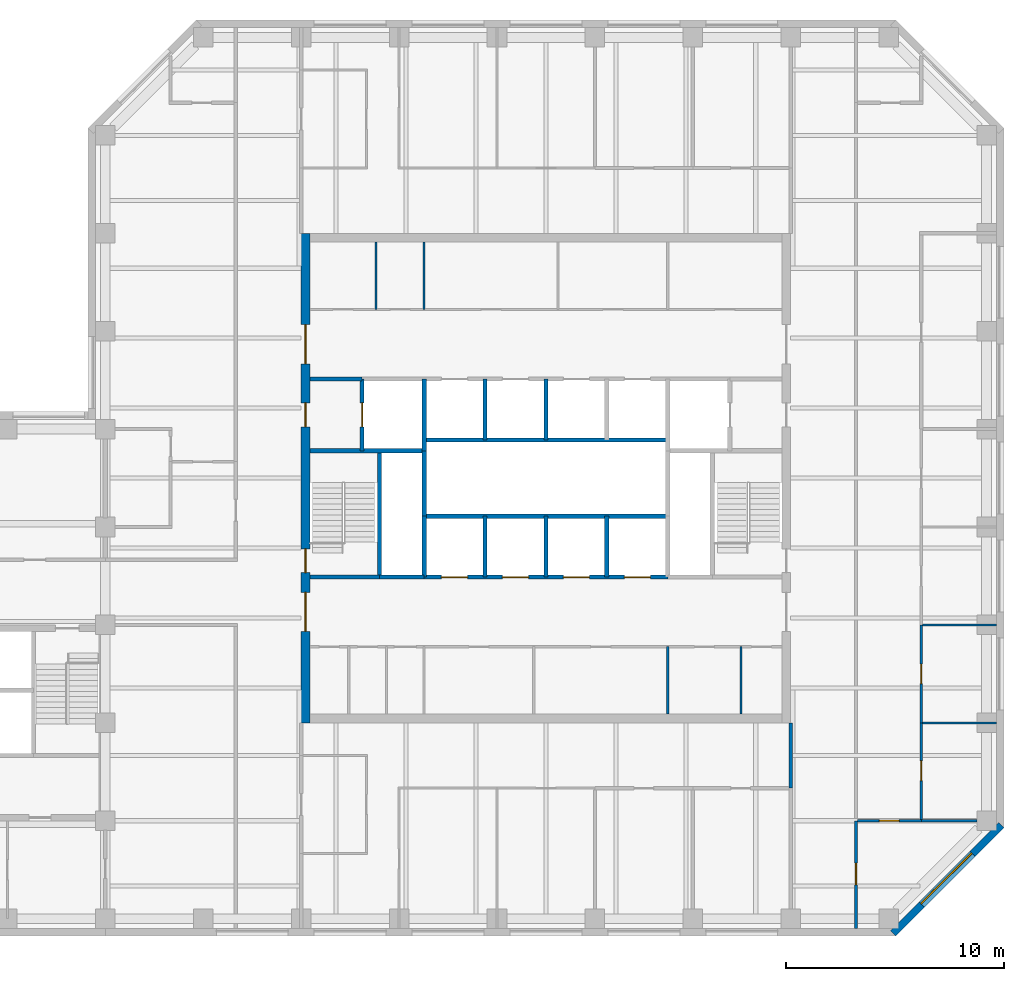
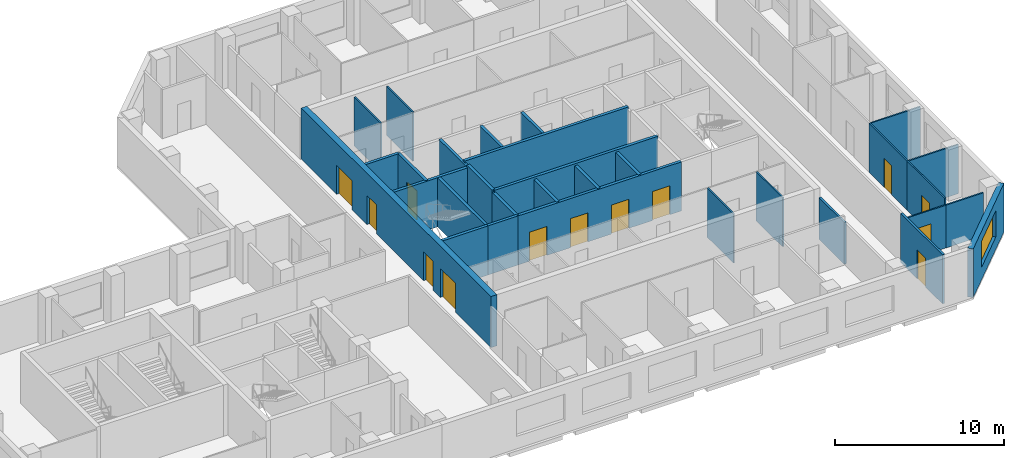
# One storey, part 5 of 9: 31 walls, 13 doors, 1 window, 14 openings.
"""IFC4 building model written with IfcOpenShell, lengths in metres."""

from ifc_helpers import new_model, si_unit, direction, frame, frame_2d, origin, place, context, subcontext, project, spatial, rectangle, extrude, material, layer, layer_set, constituent, constituent_set, type_object, element, fill, save


model = new_model("IFC4")

# Units and contexts
model_context = context("Model", 3, precision=1e-05, world=origin(), true_north=direction((0.0, 1.0)))
body_context = subcontext(model_context, "Body", "Model", "MODEL_VIEW")
ifc_project = project(units=[si_unit("LENGTHUNIT", "METRE"), si_unit("AREAUNIT", "SQUARE_METRE"), si_unit("VOLUMEUNIT", "CUBIC_METRE"), si_unit("PLANEANGLEUNIT", "RADIAN"), si_unit("MASSUNIT", "GRAM", prefix="KILO")], contexts=[model_context])

# Site, building, storey
site_placement = place(None, origin())
site = spatial("IfcSite", under=ifc_project, at=site_placement, CompositionType="ELEMENT")
building_placement = place(site_placement, origin())
building = spatial("IfcBuilding", under=site, at=building_placement, Name="Quoin Convention Tower", CompositionType="ELEMENT")
storey_placement = place(building_placement, frame((0.0, 0.0, 147.699951171875)))
storey = spatial("IfcBuildingStorey", under=building, at=storey_placement, Name="L38", CompositionType="ELEMENT", Elevation=147.699951171875)

# Wall, opening, window
ifc_material_1 = material(Name="Brick masonry", Category="masonry")
ifc_layer_1 = layer(ifc_material_1, 0.35009765625)
ifc_layer_set_1 = layer_set([ifc_layer_1], Name="Brick masonry")
wall_type_1 = type_object("IfcWallType", Name="Brick facade wall", PredefinedType="STANDARD", material=ifc_layer_set_1)
wall_1_placement = place(storey_placement, frame((72.20751953125, 39.82373046875, 0.0), z_axis=(0.0, 0.0, 1.0), x_axis=(0.707106781187, 0.707106781187, 0.0)))
wall_1 = element("IfcWall", 1, at=wall_1_placement, inside=storey, type_object=wall_type_1, Name="fw-L38-72000_40500", PredefinedType="STANDARD", context=body_context, shape_type="SweptSolid", body=[
    extrude(rectangle(XDim=7.02685546875, YDim=0.35009765625, at=frame_2d((3.513427734375, 0.0))), origin(), (0.0, 0.0, 1.0), 3.525146484375),
])
opening_1_placement = place(wall_1_placement, frame((1.86328125, 0.0, 0.89990234375)))
opening_1 = element("IfcOpeningElement", 2, at=opening_1_placement, cuts=wall_1, Name="Opening W-02", PredefinedType="OPENING", context=body_context, shape_type="SweptSolid", body=[
    extrude(rectangle(XDim=3.300048828125, YDim=1.89990234375, at=frame_2d((1.64990234375, 0.949951171875))), frame((0.0, 0.18505859375, 0.0), z_axis=(0.0, -1.0, 0.0), x_axis=(1.0, 0.0, 0.0)), (0.0, 0.0, 1.0), 0.3701171875),
])
ifc_material_2 = material(Name="Aluminium", Category="aluminium")
ifc_constituent_1 = constituent(ifc_material_2, Name="Frame")
ifc_material_3 = material(Name="Insulated glass", Category="glass")
ifc_constituent_2 = constituent(ifc_material_3, Name="Glazing")
ifc_constituent_set = constituent_set(constituents=[ifc_constituent_1, ifc_constituent_2], Name="Aluminium")
window_type = type_object("IfcWindowType", Name="Office window", PartitioningType="DOUBLE_PANEL_VERTICAL", PredefinedType="WINDOW", material=ifc_constituent_set)
window_placement = place(opening_1_placement, origin())
window = element("IfcWindow", 3, at=window_placement, inside=storey, type_object=window_type, Name="win-L38-74692_42308", OverallHeight=1.89990234375, OverallWidth=3.300048828125, PartitioningType="SINGLE_PANEL", PredefinedType="WINDOW", context=body_context, shape_type="SweptSolid", body=[
    extrude(rectangle(XDim=3.300048828125, YDim=1.89990234375, at=frame_2d((1.64990234375, 0.949951171875))), frame((0.0, 0.0849609375, 0.0), z_axis=(0.0, -1.0, 0.0), x_axis=(1.0, 0.0, 0.0)), (0.0, 0.0, 1.0), 0.06005859375),
])
fill(opening_1, window)

# Walls
ifc_material_4 = material(Name="Plasterboard")
ifc_layer_2 = layer(ifc_material_4, 0.012451171875, Name="Finish")
ifc_material_5 = material(Name="Steel stud framing", Category="steel")
ifc_layer_3 = layer(ifc_material_5, 0.074951171875, Name="Structure")
ifc_layer_4 = layer(ifc_material_4, 0.012451171875, Name="Finish")
ifc_layer_set_2 = layer_set([ifc_layer_2, ifc_layer_3, ifc_layer_4], Name="Steel stud framing")
wall_type_2 = type_object("IfcWallType", Name="Core partition wall", PredefinedType="PARTITIONING", material=ifc_layer_set_2)
for number, where, z_axis, x_axis, name in (
    (4, (48.445068359375, 68.5, 0.0), (0.0, 0.0, 1.0), (0.0, 1.0, 0.0), "cr-C1-L38-v3445_19000"),
    (5, (50.64990234375, 68.5, 0.0), (0.0, 0.0, 1.0), (0.0, 1.0, 0.0), "cr-C1-L38-v5650_19000"),
    (6, (61.85009765625, 49.89990234375, 0.0), (0.0, 0.0, 1.0), (0.0, 1.0, 0.0), "cr-C1-L38-v16850_400"),
    (7, (65.2099609375, 49.89990234375, 0.0), (0.0, 0.0, 1.0), (0.0, 1.0, 0.0), "cr-C1-L38-v20210_400"),
):
    element("IfcWall", number, at=place(storey_placement, frame(where, z_axis=z_axis, x_axis=x_axis)), inside=storey, type_object=wall_type_2, Name=name, PredefinedType="PARTITIONING", context=body_context, shape_type="SweptSolid", body=[
        extrude(rectangle(XDim=3.10009765625, YDim=0.10009765625, at=frame_2d((1.550048828125, 0.0))), origin(), (0.0, 0.0, 1.0), 3.550048828125),
    ])
ifc_material_6 = material(Name="Concrete C50", Category="concrete")
ifc_layer_5 = layer(ifc_material_6, 0.199951171875)
ifc_layer_set_3 = layer_set([ifc_layer_5], Name="Concrete C50")
wall_type_3 = type_object("IfcWallType", Name="Core shaft wall", PredefinedType="SOLIDWALL", material=ifc_layer_set_3)
wall_2_placement = place(storey_placement, frame((48.60009765625, 56.199951171875, 0.0), z_axis=(0.0, 0.0, 1.0), x_axis=(1.0, 0.0, 0.0)))
element("IfcWall", 8, at=wall_2_placement, inside=storey, type_object=wall_type_3, Name="cr-C1-L38-h6700_3600", PredefinedType="SOLIDWALL", context=body_context, shape_type="SweptSolid", body=[
    extrude(rectangle(XDim=2.0498046875, YDim=0.199951171875, at=frame_2d((1.02490234375, 0.0))), origin(), (0.0, 0.0, 1.0), 3.550048828125),
])
wall_3_placement = place(storey_placement, frame((45.39990234375, 56.199951171875, 0.0), z_axis=(0.0, 0.0, 1.0), x_axis=(1.0, 0.0, 0.0)))
element("IfcWall", 9, at=wall_3_placement, inside=storey, type_object=wall_type_3, Name="cr-C1-L38-h6700_400", PredefinedType="SOLIDWALL", context=body_context, shape_type="SweptSolid", body=[
    extrude(rectangle(XDim=3.2001953125, YDim=0.199951171875, at=frame_2d((1.60009765625, 0.0))), origin(), (0.0, 0.0, 1.0), 3.550048828125),
])

# Wall, openings, doors
wall_4_placement = place(storey_placement, frame((50.64990234375, 56.199951171875, 0.0), z_axis=(0.0, 0.0, 1.0), x_axis=(1.0, 0.0, 0.0)))
wall_4 = element("IfcWall", 10, at=wall_4_placement, inside=storey, type_object=wall_type_3, Name="cr-C1-L38-h6700_5650", PredefinedType="SOLIDWALL", context=body_context, shape_type="SweptSolid", body=[
    extrude(rectangle(XDim=11.2001953125, YDim=0.199951171875, at=frame_2d((5.60009765625, 0.0))), origin(), (0.0, 0.0, 1.0), 3.550048828125),
])
opening_2_placement = place(wall_4_placement, frame((0.800048828125, 0.0, 0.0)))
opening_2 = element("IfcOpeningElement", 11, at=opening_2_placement, cuts=wall_4, Name="Opening LDH1", PredefinedType="OPENING", context=body_context, shape_type="SweptSolid", body=[
    extrude(rectangle(XDim=1.199951171875, YDim=2.10009765625, at=frame_2d((0.60009765625, 1.050048828125))), frame((0.0, 0.10986328125, 0.0), z_axis=(0.0, -1.0, 0.0), x_axis=(1.0, 0.0, 0.0)), (0.0, 0.0, 1.0), 0.219970703125),
])
opening_3_placement = place(wall_4_placement, frame((3.60009765625, 0.0, 0.0)))
opening_3 = element("IfcOpeningElement", 12, at=opening_3_placement, cuts=wall_4, Name="Opening LDH2", PredefinedType="OPENING", context=body_context, shape_type="SweptSolid", body=[
    extrude(rectangle(XDim=1.199951171875, YDim=2.10009765625, at=frame_2d((0.60009765625, 1.050048828125))), frame((0.0, 0.10986328125, 0.0), z_axis=(0.0, -1.0, 0.0), x_axis=(1.0, 0.0, 0.0)), (0.0, 0.0, 1.0), 0.219970703125),
])
opening_4_placement = place(wall_4_placement, frame((6.39990234375, 0.0, 0.0)))
opening_4 = element("IfcOpeningElement", 13, at=opening_4_placement, cuts=wall_4, Name="Opening LDH3", PredefinedType="OPENING", context=body_context, shape_type="SweptSolid", body=[
    extrude(rectangle(XDim=1.199951171875, YDim=2.10009765625, at=frame_2d((0.60009765625, 1.050048828125))), frame((0.0, 0.10986328125, 0.0), z_axis=(0.0, -1.0, 0.0), x_axis=(1.0, 0.0, 0.0)), (0.0, 0.0, 1.0), 0.219970703125),
])
opening_5_placement = place(wall_4_placement, frame((9.199951171875, 0.0, 0.0)))
opening_5 = element("IfcOpeningElement", 14, at=opening_5_placement, cuts=wall_4, Name="Opening LDH4", PredefinedType="OPENING", context=body_context, shape_type="SweptSolid", body=[
    extrude(rectangle(XDim=1.199951171875, YDim=2.10009765625, at=frame_2d((0.60009765625, 1.050048828125))), frame((0.0, 0.10986328125, 0.0), z_axis=(0.0, -1.0, 0.0), x_axis=(1.0, 0.0, 0.0)), (0.0, 0.0, 1.0), 0.219970703125),
])
ifc_material_7 = material(Name="Steel door leaf", Category="steel")
door_type_1 = type_object("IfcDoorType", Name="Lift landing door 1200 x 2100", OperationType="DOUBLE_DOOR_SLIDING", PredefinedType="DOOR", material=ifc_material_7)
door_1_placement = place(opening_2_placement, origin())
door_1 = element("IfcDoor", 15, at=door_1_placement, inside=storey, type_object=door_type_1, Name="cd-C1-L38-R20-lobA-LDH1", OperationType="DOUBLE_DOOR_SLIDING", OverallHeight=2.10009765625, OverallWidth=1.199951171875, PredefinedType="DOOR", context=body_context, shape_type="SweptSolid", body=[
    extrude(rectangle(XDim=1.199951171875, YDim=2.10009765625, at=frame_2d((0.60009765625, 1.050048828125))), frame((0.0, 0.02490234375, 0.0), z_axis=(0.0, -1.0, 0.0), x_axis=(1.0, 0.0, 0.0)), (0.0, 0.0, 1.0), 0.050048828125),
])
fill(opening_2, door_1)
door_2_placement = place(opening_3_placement, origin())
door_2 = element("IfcDoor", 16, at=door_2_placement, inside=storey, type_object=door_type_1, Name="cd-C1-L38-R21-lobA-LDH2", OperationType="DOUBLE_DOOR_SLIDING", OverallHeight=2.10009765625, OverallWidth=1.199951171875, PredefinedType="DOOR", context=body_context, shape_type="SweptSolid", body=[
    extrude(rectangle(XDim=1.199951171875, YDim=2.10009765625, at=frame_2d((0.60009765625, 1.050048828125))), frame((0.0, 0.02490234375, 0.0), z_axis=(0.0, -1.0, 0.0), x_axis=(1.0, 0.0, 0.0)), (0.0, 0.0, 1.0), 0.050048828125),
])
fill(opening_3, door_2)
door_3_placement = place(opening_4_placement, origin())
door_3 = element("IfcDoor", 17, at=door_3_placement, inside=storey, type_object=door_type_1, Name="cd-C1-L38-R22-lobA-LDH3", OperationType="DOUBLE_DOOR_SLIDING", OverallHeight=2.10009765625, OverallWidth=1.199951171875, PredefinedType="DOOR", context=body_context, shape_type="SweptSolid", body=[
    extrude(rectangle(XDim=1.199951171875, YDim=2.10009765625, at=frame_2d((0.60009765625, 1.050048828125))), frame((0.0, 0.02490234375, 0.0), z_axis=(0.0, -1.0, 0.0), x_axis=(1.0, 0.0, 0.0)), (0.0, 0.0, 1.0), 0.050048828125),
])
fill(opening_4, door_3)
door_4_placement = place(opening_5_placement, origin())
door_4 = element("IfcDoor", 18, at=door_4_placement, inside=storey, type_object=door_type_1, Name="cd-C1-L38-R23-lobA-LDH4", OperationType="DOUBLE_DOOR_SLIDING", OverallHeight=2.10009765625, OverallWidth=1.199951171875, PredefinedType="DOOR", context=body_context, shape_type="SweptSolid", body=[
    extrude(rectangle(XDim=1.199951171875, YDim=2.10009765625, at=frame_2d((0.60009765625, 1.050048828125))), frame((0.0, 0.02490234375, 0.0), z_axis=(0.0, -1.0, 0.0), x_axis=(1.0, 0.0, 0.0)), (0.0, 0.0, 1.0), 0.050048828125),
])
fill(opening_5, door_4)

# Walls
wall_5_placement = place(storey_placement, frame((45.39990234375, 62.0, 0.0), z_axis=(0.0, 0.0, 1.0), x_axis=(1.0, 0.0, 0.0)))
element("IfcWall", 19, at=wall_5_placement, inside=storey, type_object=wall_type_3, Name="cr-C1-L38-h12500_400", PredefinedType="SOLIDWALL", context=body_context, shape_type="SweptSolid", body=[
    extrude(rectangle(XDim=5.25, YDim=0.199951171875, at=frame_2d((2.625, 0.0))), origin(), (0.0, 0.0, 1.0), 3.550048828125),
])
wall_6_placement = place(storey_placement, frame((45.39990234375, 65.300048828125, 0.0), z_axis=(0.0, 0.0, 1.0), x_axis=(1.0, 0.0, 0.0)))
element("IfcWall", 20, at=wall_6_placement, inside=storey, type_object=wall_type_3, Name="cr-C1-L38-h15800_400", PredefinedType="SOLIDWALL", context=body_context, shape_type="SweptSolid", body=[
    extrude(rectangle(XDim=2.400146484375, YDim=0.199951171875, at=frame_2d((1.2001953125, 0.0))), origin(), (0.0, 0.0, 1.0), 3.550048828125),
])

# Wall, opening, door
wall_7_placement = place(storey_placement, frame((47.800048828125, 62.0, 0.0), z_axis=(0.0, 0.0, 1.0), x_axis=(0.0, 1.0, 0.0)))
wall_7 = element("IfcWall", 21, at=wall_7_placement, inside=storey, type_object=wall_type_3, Name="cr-C1-L38-v2800_12500", PredefinedType="SOLIDWALL", context=body_context, shape_type="SweptSolid", body=[
    extrude(rectangle(XDim=3.300048828125, YDim=0.199951171875, at=frame_2d((1.64990234375, 0.0))), origin(), (0.0, 0.0, 1.0), 3.550048828125),
])
opening_6_placement = place(wall_7_placement, frame((1.10009765625, 0.0, 0.0)))
opening_6 = element("IfcOpeningElement", 22, at=opening_6_placement, cuts=wall_7, Name="Opening LDFL1", PredefinedType="OPENING", context=body_context, shape_type="SweptSolid", body=[
    extrude(rectangle(XDim=1.10009765625, YDim=2.10009765625, at=frame_2d((0.550048828125, 1.050048828125))), frame((0.0, 0.10986328125, 0.0), z_axis=(0.0, -1.0, 0.0), x_axis=(1.0, 0.0, 0.0)), (0.0, 0.0, 1.0), 0.219970703125),
])
door_type_2 = type_object("IfcDoorType", Name="Lift landing door 1100 x 2100", OperationType="DOUBLE_DOOR_SLIDING", PredefinedType="DOOR", material=ifc_material_7)
door_5_placement = place(opening_6_placement, origin())
door_5 = element("IfcDoor", 23, at=door_5_placement, inside=storey, type_object=door_type_2, Name="cd-C1-L38-FLW-FFW-LDFL1", OperationType="DOUBLE_DOOR_SLIDING", OverallHeight=2.10009765625, OverallWidth=1.10009765625, PredefinedType="DOOR", context=body_context, shape_type="SweptSolid", body=[
    extrude(rectangle(XDim=1.10009765625, YDim=2.10009765625, at=frame_2d((0.550048828125, 1.050048828125))), frame((0.0, 0.02490234375, 0.0), z_axis=(0.0, -1.0, 0.0), x_axis=(1.0, 0.0, 0.0)), (0.0, 0.0, 1.0), 0.050048828125),
])
fill(opening_6, door_5)

# Walls
wall_8_placement = place(storey_placement, frame((48.60009765625, 56.199951171875, 0.0), z_axis=(0.0, 0.0, 1.0), x_axis=(0.0, 1.0, 0.0)))
element("IfcWall", 24, at=wall_8_placement, inside=storey, type_object=wall_type_3, Name="cr-C1-L38-v3600_6700", PredefinedType="SOLIDWALL", context=body_context, shape_type="SweptSolid", body=[
    extrude(rectangle(XDim=5.800048828125, YDim=0.199951171875, at=frame_2d((2.89990234375, 0.0))), origin(), (0.0, 0.0, 1.0), 3.550048828125),
])
wall_9_placement = place(storey_placement, frame((50.64990234375, 56.199951171875, 0.0), z_axis=(0.0, 0.0, 1.0), x_axis=(0.0, 1.0, 0.0)))
element("IfcWall", 25, at=wall_9_placement, inside=storey, type_object=wall_type_3, Name="cr-C1-L38-v5650_6700", PredefinedType="SOLIDWALL", context=body_context, shape_type="SweptSolid", body=[
    extrude(rectangle(XDim=2.800048828125, YDim=0.199951171875, at=frame_2d((1.39990234375, 0.0))), origin(), (0.0, 0.0, 1.0), 3.550048828125),
])
wall_10_placement = place(storey_placement, frame((50.64990234375, 62.0, 0.0), z_axis=(0.0, 0.0, 1.0), x_axis=(0.0, 1.0, 0.0)))
element("IfcWall", 26, at=wall_10_placement, inside=storey, type_object=wall_type_3, Name="cr-C1-L38-v5650_12500", PredefinedType="SOLIDWALL", context=body_context, shape_type="SweptSolid", body=[
    extrude(rectangle(XDim=3.300048828125, YDim=0.199951171875, at=frame_2d((1.64990234375, 0.0))), origin(), (0.0, 0.0, 1.0), 3.550048828125),
])
for number, where, z_axis, x_axis, name in (
    (27, (53.449951171875, 56.199951171875, 0.0), (0.0, 0.0, 1.0), (0.0, 1.0, 0.0), "cr-C1-L38-v8450_6700"),
    (28, (53.449951171875, 62.5, 0.0), (0.0, 0.0, 1.0), (0.0, 1.0, 0.0), "cr-C1-L38-v8450_13000"),
    (29, (56.25, 56.199951171875, 0.0), (0.0, 0.0, 1.0), (0.0, 1.0, 0.0), "cr-C1-L38-v11250_6700"),
    (30, (56.25, 62.5, 0.0), (0.0, 0.0, 1.0), (0.0, 1.0, 0.0), "cr-C1-L38-v11250_13000"),
    (31, (59.050048828125, 56.199951171875, 0.0), (0.0, 0.0, 1.0), (0.0, 1.0, 0.0), "cr-C1-L38-v14050_6700"),
):
    element("IfcWall", number, at=place(storey_placement, frame(where, z_axis=z_axis, x_axis=x_axis)), inside=storey, type_object=wall_type_3, Name=name, PredefinedType="SOLIDWALL", context=body_context, shape_type="SweptSolid", body=[
        extrude(rectangle(XDim=2.800048828125, YDim=0.199951171875, at=frame_2d((1.39990234375, 0.0))), origin(), (0.0, 0.0, 1.0), 3.550048828125),
    ])
ifc_layer_6 = layer(ifc_material_6, 0.199951171875)
ifc_layer_set_4 = layer_set([ifc_layer_6], Name="Concrete C50")
wall_type_4 = type_object("IfcWallType", Name="Core shaft wall to the floor level over", PredefinedType="SOLIDWALL", material=ifc_layer_set_4)
for number, where, z_axis, x_axis, name in (
    (32, (50.64990234375, 59.0, 0.0), (0.0, 0.0, 1.0), (1.0, 0.0, 0.0), "cr-C1-L38-h9500_5650"),
    (33, (50.64990234375, 62.5, 0.0), (0.0, 0.0, 1.0), (1.0, 0.0, 0.0), "cr-C1-L38-h13000_5650"),
):
    element("IfcWall", number, at=place(storey_placement, frame(where, z_axis=z_axis, x_axis=x_axis)), inside=storey, type_object=wall_type_4, Name=name, PredefinedType="SOLIDWALL", context=body_context, shape_type="SweptSolid", body=[
        extrude(rectangle(XDim=11.2001953125, YDim=0.199951171875, at=frame_2d((5.60009765625, 0.0))), origin(), (0.0, 0.0, 1.0), 3.699951171875),
    ])
wall_11_placement = place(storey_placement, frame((50.64990234375, 59.0, 0.0), z_axis=(0.0, 0.0, 1.0), x_axis=(0.0, 1.0, 0.0)))
element("IfcWall", 34, at=wall_11_placement, inside=storey, type_object=wall_type_4, Name="cr-C1-L38-v5650_9500", PredefinedType="SOLIDWALL", context=body_context, shape_type="SweptSolid", body=[
    extrude(rectangle(XDim=3.0, YDim=0.199951171875, at=frame_2d((1.5, 0.0))), origin(), (0.0, 0.0, 1.0), 3.699951171875),
])

# Wall, opening, door
ifc_layer_7 = layer(ifc_material_4, 0.012451171875, Name="Finish")
ifc_layer_8 = layer(ifc_material_5, 0.125, Name="Structure")
ifc_layer_9 = layer(ifc_material_4, 0.012451171875, Name="Finish")
ifc_layer_set_5 = layer_set([ifc_layer_7, ifc_layer_8, ifc_layer_9], Name="Steel stud framing")
wall_type_5 = type_object("IfcWallType", Name="Corridor wall 150", PredefinedType="PARTITIONING", material=ifc_layer_set_5)
wall_12_placement = place(storey_placement, frame((70.5, 40.050048828125, 0.0), z_axis=(0.0, 0.0, 1.0), x_axis=(0.0, 1.0, 0.0)))
wall_12 = element("IfcWall", 35, at=wall_12_placement, inside=storey, type_object=wall_type_5, Name="pw-L38-047", PredefinedType="PARTITIONING", context=body_context, shape_type="SweptSolid", body=[
    extrude(rectangle(XDim=4.949951171875, YDim=0.14990234375, at=frame_2d((2.47509765625, 0.0))), origin(), (0.0, 0.0, 1.0), 3.550048828125),
])
opening_7_placement = place(wall_12_placement, frame((2.0, 0.0, 0.0)))
opening_7 = element("IfcOpeningElement", 36, at=opening_7_placement, cuts=wall_12, Name="Opening DOH1-13", PredefinedType="OPENING", context=body_context, shape_type="SweptSolid", body=[
    extrude(rectangle(XDim=1.0, YDim=2.10009765625, at=frame_2d((0.5, 1.050048828125))), frame((0.0, 0.0849609375, 0.0), z_axis=(0.0, -1.0, 0.0), x_axis=(1.0, 0.0, 0.0)), (0.0, 0.0, 1.0), 0.169921875),
])
door_type_3 = type_object("IfcDoorType", Name="Tenancy entrance door 1000 x 2100", OperationType="DOUBLE_DOOR_SINGLE_SWING", PredefinedType="DOOR", material=ifc_material_7)
door_6_placement = place(opening_7_placement, frame((1.0, 0.0, 0.0), z_axis=(0.0, 0.0, 1.0), x_axis=(-1.0, 0.0, 0.0)))
door_6 = element("IfcDoor", 37, at=door_6_placement, inside=storey, type_object=door_type_3, Name="dr-L38-28", OperationType="DOUBLE_DOOR_SINGLE_SWING", OverallHeight=2.10009765625, OverallWidth=1.0, PredefinedType="DOOR", context=body_context, shape_type="SweptSolid", body=[
    extrude(rectangle(XDim=1.0, YDim=2.10009765625, at=frame_2d((0.5, 1.050048828125))), frame((0.0, 0.02490234375, 0.0), z_axis=(0.0, -1.0, 0.0), x_axis=(1.0, 0.0, 0.0)), (0.0, 0.0, 1.0), 0.050048828125),
])
fill(opening_7, door_6)

# Wall
ifc_layer_10 = layer(ifc_material_4, 0.012451171875, Name="Finish")
ifc_layer_11 = layer(ifc_material_5, 0.125, Name="Structure")
ifc_layer_12 = layer(ifc_material_4, 0.012451171875, Name="Finish")
ifc_layer_set_6 = layer_set([ifc_layer_10, ifc_layer_11, ifc_layer_12], Name="Steel stud framing")
wall_type_6 = type_object("IfcWallType", Name="Corridor wall 150 under beam 528", PredefinedType="PARTITIONING", material=ifc_layer_set_6)
wall_13_placement = place(storey_placement, frame((67.5, 46.5, 0.0), z_axis=(0.0, 0.0, 1.0), x_axis=(0.0, 1.0, 0.0)))
element("IfcWall", 38, at=wall_13_placement, inside=storey, type_object=wall_type_6, Name="pw-L38-056", PredefinedType="PARTITIONING", context=body_context, shape_type="SweptSolid", body=[
    extrude(rectangle(XDim=3.0, YDim=0.14990234375, at=frame_2d((1.5, 0.0))), origin(), (0.0, 0.0, 1.0), 3.02197265625),
])

# Wall, openings, doors
ifc_layer_13 = layer(ifc_material_6, 0.39990234375)
ifc_layer_set_7 = layer_set([ifc_layer_13], Name="Concrete C50")
wall_type_7 = type_object("IfcWallType", Name="RC CORE WALL 400 C50", PredefinedType="SHEAR", material=ifc_layer_set_7)
wall_14_placement = place(storey_placement, frame((45.199951171875, 49.5, 0.0), z_axis=(0.0, 0.0, 1.0), x_axis=(0.0, 1.0, 0.0)))
wall_14 = element("IfcWall", 39, at=wall_14_placement, inside=storey, type_object=wall_type_7, Name="cwl-C1-L38-W", PredefinedType="SHEAR", context=body_context, shape_type="SweptSolid", body=[
    extrude(rectangle(XDim=22.5, YDim=0.39990234375, at=frame_2d((11.25, 0.0))), origin(), (0.0, 0.0, 1.0), 3.699951171875),
])
opening_8_placement = place(wall_14_placement, frame((4.199951171875, 0.0, 0.0)))
opening_8 = element("IfcOpeningElement", 40, at=opening_8_placement, cuts=wall_14, Name="Opening DCV1-49", PredefinedType="OPENING", context=body_context, shape_type="SweptSolid", body=[
    extrude(rectangle(XDim=1.800048828125, YDim=2.10009765625, at=frame_2d((0.89990234375, 1.050048828125))), frame((0.0, 0.2099609375, 0.0), z_axis=(0.0, -1.0, 0.0), x_axis=(1.0, 0.0, 0.0)), (0.0, 0.0, 1.0), 0.419921875),
])
opening_9_placement = place(wall_14_placement, frame((6.89990234375, 0.0, 0.0)))
opening_9 = element("IfcOpeningElement", 41, at=opening_9_placement, cuts=wall_14, Name="Opening SD1", PredefinedType="OPENING", context=body_context, shape_type="SweptSolid", body=[
    extrude(rectangle(XDim=1.10009765625, YDim=2.10009765625, at=frame_2d((0.550048828125, 1.050048828125))), frame((0.0, 0.2099609375, 0.0), z_axis=(0.0, -1.0, 0.0), x_axis=(1.0, 0.0, 0.0)), (0.0, 0.0, 1.0), 0.419921875),
])
opening_10_placement = place(wall_14_placement, frame((13.60009765625, 0.0, 0.0)))
opening_10 = element("IfcOpeningElement", 42, at=opening_10_placement, cuts=wall_14, Name="Opening DCV1-48", PredefinedType="OPENING", context=body_context, shape_type="SweptSolid", body=[
    extrude(rectangle(XDim=1.10009765625, YDim=2.10009765625, at=frame_2d((0.550048828125, 1.050048828125))), frame((0.0, 0.2099609375, 0.0), z_axis=(0.0, -1.0, 0.0), x_axis=(1.0, 0.0, 0.0)), (0.0, 0.0, 1.0), 0.419921875),
])
opening_11_placement = place(wall_14_placement, frame((16.5, 0.0, 0.0)))
opening_11 = element("IfcOpeningElement", 43, at=opening_11_placement, cuts=wall_14, Name="Opening DCV1-49", PredefinedType="OPENING", context=body_context, shape_type="SweptSolid", body=[
    extrude(rectangle(XDim=1.800048828125, YDim=2.10009765625, at=frame_2d((0.89990234375, 1.050048828125))), frame((0.0, 0.2099609375, 0.0), z_axis=(0.0, -1.0, 0.0), x_axis=(1.0, 0.0, 0.0)), (0.0, 0.0, 1.0), 0.419921875),
])
door_type_4 = type_object("IfcDoorType", Name="Fire-fighting lobby door 1100 x 2100", OperationType="SINGLE_SWING_LEFT", PredefinedType="DOOR", material=ifc_material_7)
door_7_placement = place(opening_10_placement, frame((1.10009765625, 0.0, 0.0), z_axis=(0.0, 0.0, 1.0), x_axis=(-1.0, 0.0, 0.0)))
door_7 = element("IfcDoor", 44, at=door_7_placement, inside=storey, type_object=door_type_4, Name="cd-C1-L38-FFW-W", OperationType="SINGLE_SWING_LEFT", OverallHeight=2.10009765625, OverallWidth=1.10009765625, PredefinedType="DOOR", context=body_context, shape_type="SweptSolid", body=[
    extrude(rectangle(XDim=1.10009765625, YDim=2.10009765625, at=frame_2d((0.550048828125, 1.050048828125))), frame((0.0, 0.02490234375, 0.0), z_axis=(0.0, -1.0, 0.0), x_axis=(1.0, 0.0, 0.0)), (0.0, 0.0, 1.0), 0.050048828125),
])
fill(opening_10, door_7)
door_type_5 = type_object("IfcDoorType", Name="Lift lobby door 1800 x 2100", OperationType="SINGLE_SWING_LEFT", PredefinedType="DOOR", material=ifc_material_7)
door_8_placement = place(opening_8_placement, frame((1.800048828125, 0.0, 0.0), z_axis=(0.0, 0.0, 1.0), x_axis=(-1.0, 0.0, 0.0)))
door_8 = element("IfcDoor", 45, at=door_8_placement, inside=storey, type_object=door_type_5, Name="cd-C1-L38-lobA-W", OperationType="SINGLE_SWING_LEFT", OverallHeight=2.10009765625, OverallWidth=1.800048828125, PredefinedType="DOOR", context=body_context, shape_type="SweptSolid", body=[
    extrude(rectangle(XDim=1.800048828125, YDim=2.10009765625, at=frame_2d((0.89990234375, 1.050048828125))), frame((0.0, 0.02490234375, 0.0), z_axis=(0.0, -1.0, 0.0), x_axis=(1.0, 0.0, 0.0)), (0.0, 0.0, 1.0), 0.050048828125),
])
fill(opening_8, door_8)
door_9_placement = place(opening_11_placement, frame((1.800048828125, 0.0, 0.0), z_axis=(0.0, 0.0, 1.0), x_axis=(-1.0, 0.0, 0.0)))
door_9 = element("IfcDoor", 46, at=door_9_placement, inside=storey, type_object=door_type_5, Name="cd-C1-L38-lobB-W", OperationType="SINGLE_SWING_LEFT", OverallHeight=2.10009765625, OverallWidth=1.800048828125, PredefinedType="DOOR", context=body_context, shape_type="SweptSolid", body=[
    extrude(rectangle(XDim=1.800048828125, YDim=2.10009765625, at=frame_2d((0.89990234375, 1.050048828125))), frame((0.0, 0.02490234375, 0.0), z_axis=(0.0, -1.0, 0.0), x_axis=(1.0, 0.0, 0.0)), (0.0, 0.0, 1.0), 0.050048828125),
])
fill(opening_11, door_9)
door_type_6 = type_object("IfcDoorType", Name="Stair door 1100 x 2100", OperationType="SINGLE_SWING_RIGHT", PredefinedType="DOOR", material=ifc_material_7)
door_10_placement = place(opening_9_placement, frame((1.10009765625, 0.0, 0.0), z_axis=(0.0, 0.0, 1.0), x_axis=(-1.0, 0.0, 0.0)))
door_10 = element("IfcDoor", 47, at=door_10_placement, inside=storey, type_object=door_type_6, Name="cd-C1-L38-STW-W", OperationType="SINGLE_SWING_RIGHT", OverallHeight=2.10009765625, OverallWidth=1.10009765625, PredefinedType="DOOR", context=body_context, shape_type="SweptSolid", body=[
    extrude(rectangle(XDim=1.10009765625, YDim=2.10009765625, at=frame_2d((0.550048828125, 1.050048828125))), frame((0.0, 0.02490234375, 0.0), z_axis=(0.0, -1.0, 0.0), x_axis=(1.0, 0.0, 0.0)), (0.0, 0.0, 1.0), 0.050048828125),
])
fill(opening_9, door_10)

# Walls
ifc_layer_14 = layer(ifc_material_4, 0.012451171875, Name="Finish")
ifc_layer_15 = layer(ifc_material_5, 0.074951171875, Name="Structure")
ifc_layer_16 = layer(ifc_material_4, 0.012451171875, Name="Finish")
ifc_layer_set_8 = layer_set([ifc_layer_14, ifc_layer_15, ifc_layer_16], Name="Steel stud framing")
wall_type_8 = type_object("IfcWallType", Name="Stud partition 100", PredefinedType="PARTITIONING", material=ifc_layer_set_8)
for number, where, z_axis, x_axis, name in (
    (48, (73.550048828125, 49.5, 0.0), (0.0, 0.0, 1.0), (1.0, 0.0, 0.0), "pw-L38-013"),
    (49, (73.550048828125, 54.0, 0.0), (0.0, 0.0, 1.0), (1.0, 0.0, 0.0), "pw-L38-017"),
):
    element("IfcWall", number, at=place(storey_placement, frame(where, z_axis=z_axis, x_axis=x_axis)), inside=storey, type_object=wall_type_8, Name=name, PredefinedType="PARTITIONING", context=body_context, shape_type="SweptSolid", body=[
        extrude(rectangle(XDim=3.39990234375, YDim=0.10009765625, at=frame_2d((1.699951171875, 0.0))), origin(), (0.0, 0.0, 1.0), 3.550048828125),
    ])

# Wall, opening, door
wall_15_placement = place(storey_placement, frame((73.5, 45.050048828125, 0.0), z_axis=(0.0, 0.0, 1.0), x_axis=(0.0, 1.0, 0.0)))
wall_15 = element("IfcWall", 50, at=wall_15_placement, inside=storey, type_object=wall_type_8, Name="pw-L38-054", PredefinedType="PARTITIONING", context=body_context, shape_type="SweptSolid", body=[
    extrude(rectangle(XDim=4.449951171875, YDim=0.10009765625, at=frame_2d((2.22509765625, 0.0))), origin(), (0.0, 0.0, 1.0), 3.550048828125),
])
opening_12_placement = place(wall_15_placement, frame((1.800048828125, 0.0, 0.0)))
opening_12 = element("IfcOpeningElement", 51, at=opening_12_placement, cuts=wall_15, Name="Opening DOH1-17", PredefinedType="OPENING", context=body_context, shape_type="SweptSolid", body=[
    extrude(rectangle(XDim=0.89990234375, YDim=2.10009765625, at=frame_2d((0.449951171875, 1.050048828125))), frame((0.0, 0.06005859375, 0.0), z_axis=(0.0, -1.0, 0.0), x_axis=(1.0, 0.0, 0.0)), (0.0, 0.0, 1.0), 0.1201171875),
])
door_type_7 = type_object("IfcDoorType", Name="Office door 900 x 2100", OperationType="SINGLE_SWING_RIGHT", PredefinedType="DOOR", material=ifc_material_7)
door_11_placement = place(opening_12_placement, origin())
door_11 = element("IfcDoor", 52, at=door_11_placement, inside=storey, type_object=door_type_7, Name="dr-L38-30", OperationType="SINGLE_SWING_RIGHT", OverallHeight=2.10009765625, OverallWidth=0.89990234375, PredefinedType="DOOR", context=body_context, shape_type="SweptSolid", body=[
    extrude(rectangle(XDim=0.89990234375, YDim=2.10009765625, at=frame_2d((0.449951171875, 1.050048828125))), frame((0.0, 0.02490234375, 0.0), z_axis=(0.0, -1.0, 0.0), x_axis=(1.0, 0.0, 0.0)), (0.0, 0.0, 1.0), 0.050048828125),
])
fill(opening_12, door_11)

wall_16_placement = place(storey_placement, frame((73.5, 49.5, 0.0), z_axis=(0.0, 0.0, 1.0), x_axis=(0.0, 1.0, 0.0)))
wall_16 = element("IfcWall", 53, at=wall_16_placement, inside=storey, type_object=wall_type_8, Name="pw-L38-060", PredefinedType="PARTITIONING", context=body_context, shape_type="SweptSolid", body=[
    extrude(rectangle(XDim=4.5, YDim=0.10009765625, at=frame_2d((2.25, 0.0))), origin(), (0.0, 0.0, 1.0), 3.550048828125),
])
opening_13_placement = place(wall_16_placement, frame((1.800048828125, 0.0, 0.0)))
opening_13 = element("IfcOpeningElement", 54, at=opening_13_placement, cuts=wall_16, Name="Opening DOH1-18", PredefinedType="OPENING", context=body_context, shape_type="SweptSolid", body=[
    extrude(rectangle(XDim=0.89990234375, YDim=2.10009765625, at=frame_2d((0.449951171875, 1.050048828125))), frame((0.0, 0.06005859375, 0.0), z_axis=(0.0, -1.0, 0.0), x_axis=(1.0, 0.0, 0.0)), (0.0, 0.0, 1.0), 0.1201171875),
])
door_12_placement = place(opening_13_placement, origin())
door_12 = element("IfcDoor", 55, at=door_12_placement, inside=storey, type_object=door_type_7, Name="dr-L38-31", OperationType="SINGLE_SWING_RIGHT", OverallHeight=2.10009765625, OverallWidth=0.89990234375, PredefinedType="DOOR", context=body_context, shape_type="SweptSolid", body=[
    extrude(rectangle(XDim=0.89990234375, YDim=2.10009765625, at=frame_2d((0.449951171875, 1.050048828125))), frame((0.0, 0.02490234375, 0.0), z_axis=(0.0, -1.0, 0.0), x_axis=(1.0, 0.0, 0.0)), (0.0, 0.0, 1.0), 0.050048828125),
])
fill(opening_13, door_12)

ifc_layer_17 = layer(ifc_material_4, 0.012451171875, Name="Finish")
ifc_layer_18 = layer(ifc_material_5, 0.074951171875, Name="Structure")
ifc_layer_19 = layer(ifc_material_4, 0.012451171875, Name="Finish")
ifc_layer_set_9 = layer_set([ifc_layer_17, ifc_layer_18, ifc_layer_19], Name="Steel stud framing")
wall_type_9 = type_object("IfcWallType", Name="Stud partition 100 under beam 454", PredefinedType="PARTITIONING", material=ifc_layer_set_9)
wall_17_placement = place(storey_placement, frame((70.574951171875, 45.0, 0.0), z_axis=(0.0, 0.0, 1.0), x_axis=(1.0, 0.0, 0.0)))
wall_17 = element("IfcWall", 56, at=wall_17_placement, inside=storey, type_object=wall_type_9, Name="pw-L38-004", PredefinedType="PARTITIONING", context=body_context, shape_type="SweptSolid", body=[
    extrude(rectangle(XDim=2.925048828125, YDim=0.10009765625, at=frame_2d((1.46240234375, 0.0))), origin(), (0.0, 0.0, 1.0), 3.095947265625),
])
opening_14_placement = place(wall_17_placement, frame((1.0, 0.0, 0.0)))
opening_14 = element("IfcOpeningElement", 57, at=opening_14_placement, cuts=wall_17, Name="Opening DOH1-01", PredefinedType="OPENING", context=body_context, shape_type="SweptSolid", body=[
    extrude(rectangle(XDim=0.89990234375, YDim=2.10009765625, at=frame_2d((0.449951171875, 1.050048828125))), frame((0.0, 0.06005859375, 0.0), z_axis=(0.0, -1.0, 0.0), x_axis=(1.0, 0.0, 0.0)), (0.0, 0.0, 1.0), 0.1201171875),
])
door_13_placement = place(opening_14_placement, origin())
door_13 = element("IfcDoor", 58, at=door_13_placement, inside=storey, type_object=door_type_7, Name="dr-L38-29", OperationType="SINGLE_SWING_RIGHT", OverallHeight=2.10009765625, OverallWidth=0.89990234375, PredefinedType="DOOR", context=body_context, shape_type="SweptSolid", body=[
    extrude(rectangle(XDim=0.89990234375, YDim=2.10009765625, at=frame_2d((0.449951171875, 1.050048828125))), frame((0.0, 0.02490234375, 0.0), z_axis=(0.0, -1.0, 0.0), x_axis=(1.0, 0.0, 0.0)), (0.0, 0.0, 1.0), 0.050048828125),
])
fill(opening_14, door_13)

# Wall
wall_18_placement = place(storey_placement, frame((73.5, 45.0, 0.0), z_axis=(0.0, 0.0, 1.0), x_axis=(1.0, 0.0, 0.0)))
element("IfcWall", 59, at=wall_18_placement, inside=storey, type_object=wall_type_9, Name="pw-L38-005", PredefinedType="PARTITIONING", context=body_context, shape_type="SweptSolid", body=[
    extrude(rectangle(XDim=2.550048828125, YDim=0.10009765625, at=frame_2d((1.27490234375, 0.0))), origin(), (0.0, 0.0, 1.0), 3.095947265625),
])

save(model, "model.ifc")
